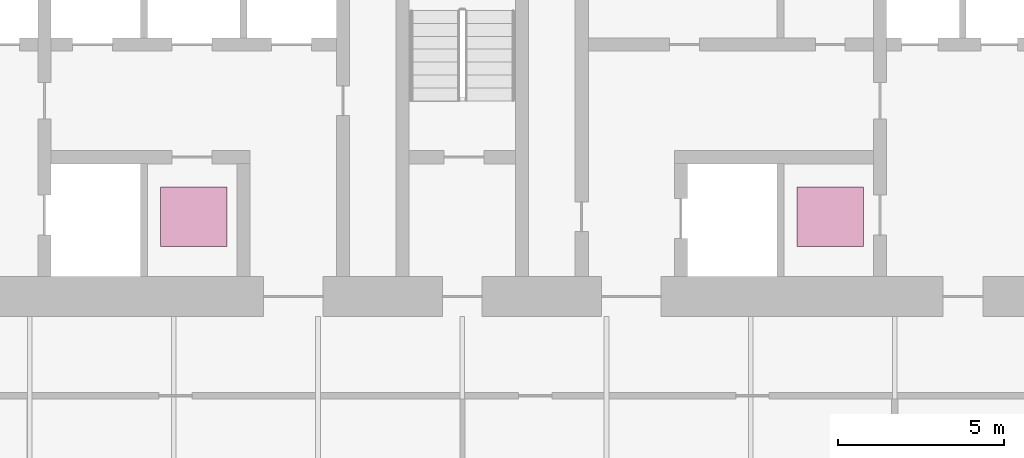
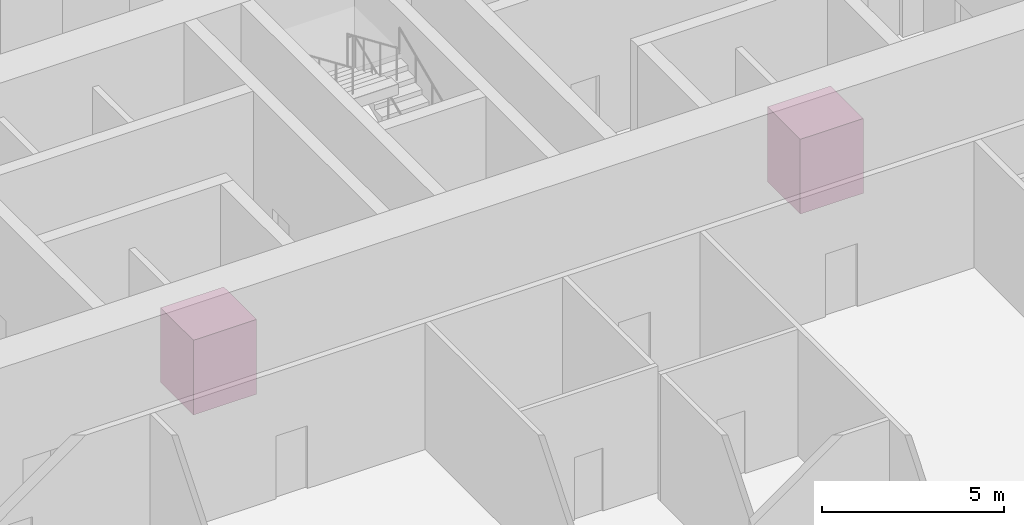
# One storey, part 32 of 32: 2 transport elements.
"""IFC4 building model written with IfcOpenShell, lengths in metres."""

from ifc_helpers import new_model, si_unit, direction, frame, origin, origin_2d, place, context, subcontext, project, spatial, rectangle, extrude, material, type_object, element, save


model = new_model("IFC4")

# Units and contexts
model_context = context("Model", 3, precision=1e-05, world=origin(), true_north=direction((0.0, 1.0)))
body_context = subcontext(model_context, "Body", "Model", "MODEL_VIEW")
ifc_project = project(units=[si_unit("LENGTHUNIT", "METRE"), si_unit("AREAUNIT", "SQUARE_METRE"), si_unit("VOLUMEUNIT", "CUBIC_METRE"), si_unit("PLANEANGLEUNIT", "RADIAN"), si_unit("MASSUNIT", "GRAM", prefix="KILO")], contexts=[model_context])

# Site, building, storey
site_placement = place(None, origin())
site = spatial("IfcSite", under=ifc_project, at=site_placement, CompositionType="ELEMENT")
building_placement = place(site_placement, origin())
building = spatial("IfcBuilding", under=site, at=building_placement, Name="Bicima Exchange Tower", CompositionType="ELEMENT")
storey_placement = place(building_placement, frame((0.0, 0.0, 135.0)))
storey = spatial("IfcBuildingStorey", under=building, at=storey_placement, Name="L29", CompositionType="ELEMENT", Elevation=135.0)

# Transport elements
ifc_material = material(Name="Stainless steel", Category="steel")
transport_element_type = type_object("IfcTransportElementType", Name="Mid-rise passenger lift car 2000 x 1800", PredefinedType="ELEVATOR", material=ifc_material)
for number, where, z_axis, x_axis, name in (
    (1, (-8.10009765625, -10.0, 0.0), (0.0, 0.0, 1.0), (1.0, 0.0, 0.0), "MB1"),
    (2, (11.10009765625, -10.0, 0.0), (0.0, 0.0, 1.0), (1.0, 0.0, 0.0), "MB2"),
):
    element("IfcTransportElement", number, at=place(storey_placement, frame(where, z_axis=z_axis, x_axis=x_axis)), inside=storey, type_object=transport_element_type, Name=name, PredefinedType="ELEVATOR", context=body_context, shape_type="SweptSolid", body=[
        extrude(rectangle(XDim=2.0, YDim=1.800048828125, at=origin_2d()), origin(), (0.0, 0.0, 1.0), 2.5),
    ])

save(model, "model.ifc")
